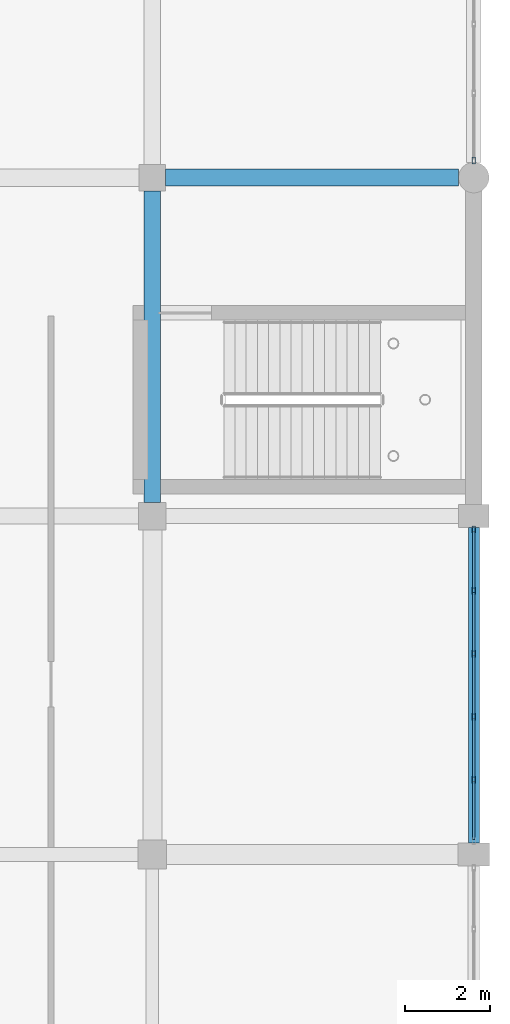
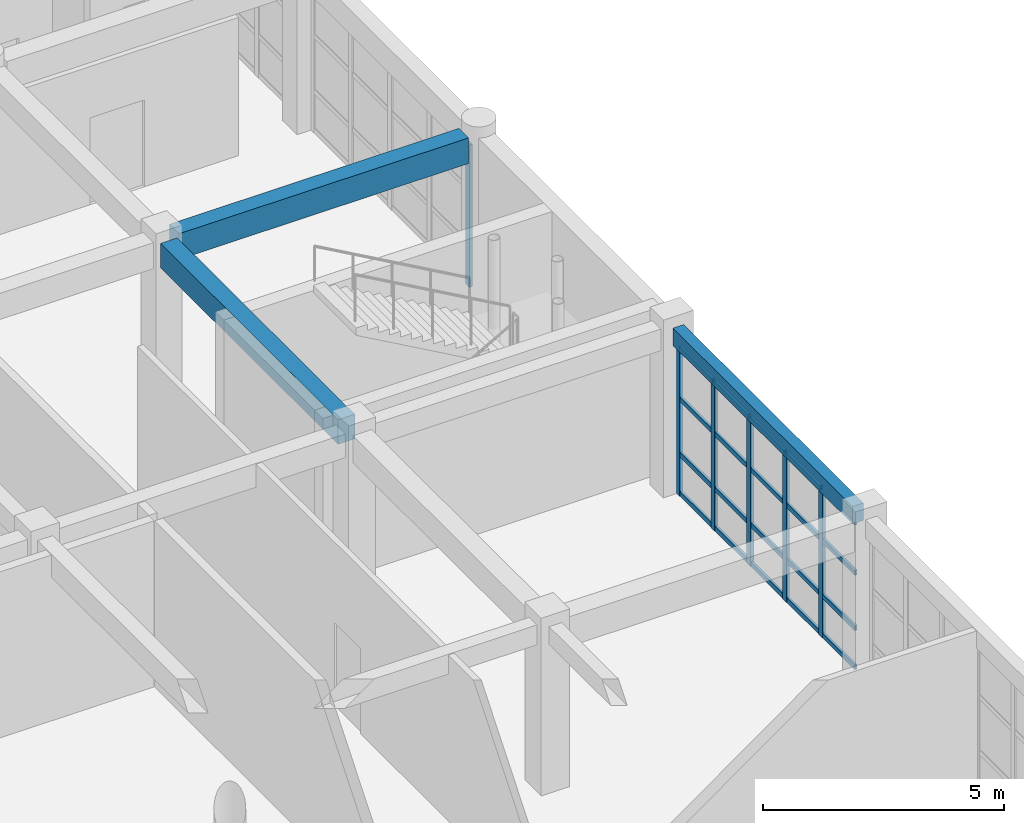
# One storey, part 98 of 160: 26 members, 3 beams, 2 elements without a shape of their own.
"""IFC4 building model written with IfcOpenShell, lengths in metres."""

from ifc_helpers import new_model, si_unit, direction, frame, origin, origin_2d, place, context, subcontext, project, spatial, rectangle, hollow_rectangle, extrude, material, material_profile, profile_set, type_object, element, aggregate, save


model = new_model("IFC4")

# Units and contexts
model_context = context("Model", 3, precision=1e-05, world=origin(), true_north=direction((0.0, 1.0)))
body_context = subcontext(model_context, "Body", "Model", "MODEL_VIEW")
ifc_project = project(units=[si_unit("LENGTHUNIT", "METRE"), si_unit("AREAUNIT", "SQUARE_METRE"), si_unit("VOLUMEUNIT", "CUBIC_METRE"), si_unit("PLANEANGLEUNIT", "RADIAN"), si_unit("MASSUNIT", "GRAM", prefix="KILO")], contexts=[model_context])

# Site, building, storey
site_placement = place(None, origin())
site = spatial("IfcSite", under=ifc_project, at=site_placement, CompositionType="ELEMENT")
building_placement = place(site_placement, origin())
building = spatial("IfcBuilding", under=site, at=building_placement, Name="Kharva Crest Polytechnic", CompositionType="ELEMENT")
storey_placement = place(building_placement, frame((0.0, 0.0, 4.5)))
storey = spatial("IfcBuildingStorey", under=building, at=storey_placement, Name="L01", CompositionType="ELEMENT", Elevation=4.5)

# Beams
ifc_material_1 = material(Name="Concrete C35/45", Category="concrete")
ifc_material_profile_1 = material_profile(ifc_material_1, rectangle(XDim=0.39990234375, YDim=0.6201171875, at=origin_2d()), Name="RECT 400 X 620")
ifc_profile_set_1 = profile_set([ifc_material_profile_1], Name="Concrete C35/45")
beam_type_1 = type_object("IfcBeamType", Name="BM-RC-400X620", PredefinedType="BEAM", material=ifc_profile_set_1)
beam_1_placement = place(storey_placement, frame((176.39990234375, 71.125, 3.909912109375), z_axis=(0.0, 1.0, 0.0), x_axis=(-1.0, 0.0, 0.0)))
element("IfcBeam", 1, at=beam_1_placement, inside=storey, type_object=beam_type_1, Name="L01 Girder 23/K-L", PredefinedType="BEAM", context=body_context, shape_type="SweptSolid", body=[
    extrude(rectangle(XDim=0.39990234375, YDim=0.6201171875, at=origin_2d()), origin(), (0.0, 0.0, 1.0), 7.364990234375),
])
ifc_material_profile_2 = material_profile(ifc_material_1, rectangle(XDim=0.39990234375, YDim=0.64990234375, at=origin_2d()), Name="RECT 400 X 650")
ifc_profile_set_2 = profile_set([ifc_material_profile_2], Name="Concrete C35/45")
beam_type_2 = type_object("IfcBeamType", Name="BM-RC-400X650", PredefinedType="BEAM", material=ifc_profile_set_2)
beam_2_placement = place(storey_placement, frame((176.7099609375, 78.800048828125, 3.89501953125), z_axis=(1.0, 0.0, 0.0), x_axis=(0.0, 1.0, 0.0)))
element("IfcBeam", 2, at=beam_2_placement, inside=storey, type_object=beam_type_2, Name="L01 Beam L/23-24", PredefinedType="BEAM", context=body_context, shape_type="SweptSolid", body=[
    extrude(rectangle(XDim=0.39990234375, YDim=0.64990234375, at=origin_2d()), origin(), (0.0, 0.0, 1.0), 6.929931640625),
])

# Curtain wall, members
ifc_material_2 = material(Name="Tempered insulated glass", Category="glass")
curtain_wall_type = type_object("IfcCurtainWallType", Name="CW-SYS-COURT", PredefinedType="USERDEFINED", material=ifc_material_2)
curtain_wall_1_placement = place(storey_placement, origin())
curtain_wall_1 = element("IfcCurtainWall", 3, at=curtain_wall_1_placement, inside=storey, type_object=curtain_wall_type, Name="L01 Glazed Curtain Wall CW-061", ObjectType="CURTAIN WALL", PredefinedType="USERDEFINED")
ifc_material_3 = material(Name="Steel S355", Category="steel")
ifc_material_profile_3 = material_profile(ifc_material_3, hollow_rectangle(XDim=0.080078125, YDim=0.159912109375, WallThickness=0.0048828125, at=origin_2d()), Name="RHS 160X80X5.0")
ifc_profile_set_3 = profile_set([ifc_material_profile_3], Name="Steel S355")
member_type_1 = type_object("IfcMemberType", Name="CWM-RHS160X80", PredefinedType="MULLION", material=ifc_profile_set_3)
member_1_placement = place(storey_placement, frame((184.0, 64.568115234375, 0.0), z_axis=(0.0, 0.0, 1.0), x_axis=(-1.0, 0.0, 0.0)))
member_1 = element("IfcMember", 4, at=member_1_placement, type_object=member_type_1, Name="CW-061 mullion 2", PredefinedType="MULLION", context=body_context, shape_type="SweptSolid", body=[
    extrude(hollow_rectangle(XDim=0.080078125, YDim=0.159912109375, WallThickness=0.0048828125, at=origin_2d()), origin(), (0.0, 0.0, 1.0), 3.780029296875),
])
member_2_placement = place(storey_placement, frame((184.0, 66.055908203125, 0.0), z_axis=(0.0, 0.0, 1.0), x_axis=(-1.0, 0.0, 0.0)))
member_2 = element("IfcMember", 5, at=member_2_placement, type_object=member_type_1, Name="CW-061 mullion 3", PredefinedType="MULLION", context=body_context, shape_type="SweptSolid", body=[
    extrude(hollow_rectangle(XDim=0.080078125, YDim=0.159912109375, WallThickness=0.0048828125, at=origin_2d()), origin(), (0.0, 0.0, 1.0), 3.780029296875),
])
member_3_placement = place(storey_placement, frame((184.0, 67.5439453125, 0.0), z_axis=(0.0, 0.0, 1.0), x_axis=(-1.0, 0.0, 0.0)))
member_3 = element("IfcMember", 6, at=member_3_placement, type_object=member_type_1, Name="CW-061 mullion 4", PredefinedType="MULLION", context=body_context, shape_type="SweptSolid", body=[
    extrude(hollow_rectangle(XDim=0.080078125, YDim=0.159912109375, WallThickness=0.0048828125, at=origin_2d()), origin(), (0.0, 0.0, 1.0), 3.780029296875),
])
member_4_placement = place(storey_placement, frame((184.0, 69.031982421875, 0.0), z_axis=(0.0, 0.0, 1.0), x_axis=(-1.0, 0.0, 0.0)))
member_4 = element("IfcMember", 7, at=member_4_placement, type_object=member_type_1, Name="CW-061 mullion 5", PredefinedType="MULLION", context=body_context, shape_type="SweptSolid", body=[
    extrude(hollow_rectangle(XDim=0.080078125, YDim=0.159912109375, WallThickness=0.0048828125, at=origin_2d()), origin(), (0.0, 0.0, 1.0), 3.780029296875),
])
member_5_placement = place(storey_placement, frame((184.0, 70.47998046875, 0.0), z_axis=(0.0, 0.0, 1.0), x_axis=(-1.0, 0.0, 0.0)))
member_5 = element("IfcMember", 8, at=member_5_placement, type_object=member_type_1, Name="CW-061 mullion 6", PredefinedType="MULLION", context=body_context, shape_type="SweptSolid", body=[
    extrude(hollow_rectangle(XDim=0.080078125, YDim=0.159912109375, WallThickness=0.0048828125, at=origin_2d()), origin(), (0.0, 0.0, 1.0), 3.780029296875),
])

# Curtain wall, member
curtain_wall_2_placement = place(storey_placement, origin())
curtain_wall_2 = element("IfcCurtainWall", 9, at=curtain_wall_2_placement, inside=storey, type_object=curtain_wall_type, Name="L01 Glazed Curtain Wall CW-062", ObjectType="CURTAIN WALL", PredefinedType="USERDEFINED")
member_6_placement = place(storey_placement, frame((184.0, 79.205078125, 0.0), z_axis=(0.0, 0.0, 1.0), x_axis=(-1.0, 0.0, 0.0)))
member_6 = element("IfcMember", 10, at=member_6_placement, type_object=member_type_1, Name="CW-062 mullion 1", PredefinedType="MULLION", context=body_context, shape_type="SweptSolid", body=[
    extrude(hollow_rectangle(XDim=0.080078125, YDim=0.159912109375, WallThickness=0.0048828125, at=origin_2d()), origin(), (0.0, 0.0, 1.0), 3.60009765625),
])
aggregate(curtain_wall_2, [member_6])

# Member
ifc_material_profile_4 = material_profile(ifc_material_3, hollow_rectangle(XDim=0.06005859375, YDim=0.1201171875, WallThickness=0.00390625, at=origin_2d()), Name="RHS 120X60X4.0")
ifc_profile_set_4 = profile_set([ifc_material_profile_4], Name="Steel S355")
member_type_2 = type_object("IfcMemberType", Name="CWT-RHS120X60", PredefinedType="USERDEFINED", material=ifc_profile_set_4)
member_7_placement = place(storey_placement, frame((184.0, 63.159912109375, 0.06005859375), z_axis=(0.0, 1.0, 0.0), x_axis=(-1.0, 0.0, 0.0)))
member_7 = element("IfcMember", 11, at=member_7_placement, type_object=member_type_2, Name="CW-061 transom 1.1", ObjectType="TRANSOM", PredefinedType="USERDEFINED", context=body_context, shape_type="SweptSolid", body=[
    extrude(hollow_rectangle(XDim=0.06005859375, YDim=0.1201171875, WallThickness=0.00390625, at=origin_2d()), origin(), (0.0, 0.0, 1.0), 1.3681640625),
])

member_8_placement = place(storey_placement, frame((184.0, 63.159912109375, 1.050048828125), z_axis=(0.0, 1.0, 0.0), x_axis=(-1.0, 0.0, 0.0)))
member_8 = element("IfcMember", 12, at=member_8_placement, type_object=member_type_2, Name="CW-061 transom 1.2", ObjectType="TRANSOM", PredefinedType="USERDEFINED", context=body_context, shape_type="SweptSolid", body=[
    extrude(hollow_rectangle(XDim=0.06005859375, YDim=0.1201171875, WallThickness=0.00390625, at=origin_2d()), origin(), (0.0, 0.0, 1.0), 1.3681640625),
])

member_9_placement = place(storey_placement, frame((184.0, 63.159912109375, 2.449951171875), z_axis=(0.0, 1.0, 0.0), x_axis=(-1.0, 0.0, 0.0)))
member_9 = element("IfcMember", 13, at=member_9_placement, type_object=member_type_2, Name="CW-061 transom 1.3", ObjectType="TRANSOM", PredefinedType="USERDEFINED", context=body_context, shape_type="SweptSolid", body=[
    extrude(hollow_rectangle(XDim=0.06005859375, YDim=0.1201171875, WallThickness=0.00390625, at=origin_2d()), origin(), (0.0, 0.0, 1.0), 1.3681640625),
])

member_10_placement = place(storey_placement, frame((184.0, 63.159912109375, 3.719970703125), z_axis=(0.0, 1.0, 0.0), x_axis=(-1.0, 0.0, 0.0)))
member_10 = element("IfcMember", 14, at=member_10_placement, type_object=member_type_2, Name="CW-061 transom 1.4", ObjectType="TRANSOM", PredefinedType="USERDEFINED", context=body_context, shape_type="SweptSolid", body=[
    extrude(hollow_rectangle(XDim=0.06005859375, YDim=0.1201171875, WallThickness=0.00390625, at=origin_2d()), origin(), (0.0, 0.0, 1.0), 1.3681640625),
])

member_11_placement = place(storey_placement, frame((184.0, 64.60791015625, 0.06005859375), z_axis=(0.0, 1.0, 0.0), x_axis=(-1.0, 0.0, 0.0)))
member_11 = element("IfcMember", 15, at=member_11_placement, type_object=member_type_2, Name="CW-061 transom 2.1", ObjectType="TRANSOM", PredefinedType="USERDEFINED", context=body_context, shape_type="SweptSolid", body=[
    extrude(hollow_rectangle(XDim=0.06005859375, YDim=0.1201171875, WallThickness=0.00390625, at=origin_2d()), origin(), (0.0, 0.0, 1.0), 1.408203125),
])

member_12_placement = place(storey_placement, frame((184.0, 64.60791015625, 1.050048828125), z_axis=(0.0, 1.0, 0.0), x_axis=(-1.0, 0.0, 0.0)))
member_12 = element("IfcMember", 16, at=member_12_placement, type_object=member_type_2, Name="CW-061 transom 2.2", ObjectType="TRANSOM", PredefinedType="USERDEFINED", context=body_context, shape_type="SweptSolid", body=[
    extrude(hollow_rectangle(XDim=0.06005859375, YDim=0.1201171875, WallThickness=0.00390625, at=origin_2d()), origin(), (0.0, 0.0, 1.0), 1.408203125),
])

member_13_placement = place(storey_placement, frame((184.0, 64.60791015625, 2.449951171875), z_axis=(0.0, 1.0, 0.0), x_axis=(-1.0, 0.0, 0.0)))
member_13 = element("IfcMember", 17, at=member_13_placement, type_object=member_type_2, Name="CW-061 transom 2.3", ObjectType="TRANSOM", PredefinedType="USERDEFINED", context=body_context, shape_type="SweptSolid", body=[
    extrude(hollow_rectangle(XDim=0.06005859375, YDim=0.1201171875, WallThickness=0.00390625, at=origin_2d()), origin(), (0.0, 0.0, 1.0), 1.408203125),
])

member_14_placement = place(storey_placement, frame((184.0, 64.60791015625, 3.719970703125), z_axis=(0.0, 1.0, 0.0), x_axis=(-1.0, 0.0, 0.0)))
member_14 = element("IfcMember", 18, at=member_14_placement, type_object=member_type_2, Name="CW-061 transom 2.4", ObjectType="TRANSOM", PredefinedType="USERDEFINED", context=body_context, shape_type="SweptSolid", body=[
    extrude(hollow_rectangle(XDim=0.06005859375, YDim=0.1201171875, WallThickness=0.00390625, at=origin_2d()), origin(), (0.0, 0.0, 1.0), 1.408203125),
])

member_15_placement = place(storey_placement, frame((184.0, 66.095947265625, 0.06005859375), z_axis=(0.0, 1.0, 0.0), x_axis=(-1.0, 0.0, 0.0)))
member_15 = element("IfcMember", 19, at=member_15_placement, type_object=member_type_2, Name="CW-061 transom 3.1", ObjectType="TRANSOM", PredefinedType="USERDEFINED", context=body_context, shape_type="SweptSolid", body=[
    extrude(hollow_rectangle(XDim=0.06005859375, YDim=0.1201171875, WallThickness=0.00390625, at=origin_2d()), origin(), (0.0, 0.0, 1.0), 1.407958984375),
])

member_16_placement = place(storey_placement, frame((184.0, 66.095947265625, 1.050048828125), z_axis=(0.0, 1.0, 0.0), x_axis=(-1.0, 0.0, 0.0)))
member_16 = element("IfcMember", 20, at=member_16_placement, type_object=member_type_2, Name="CW-061 transom 3.2", ObjectType="TRANSOM", PredefinedType="USERDEFINED", context=body_context, shape_type="SweptSolid", body=[
    extrude(hollow_rectangle(XDim=0.06005859375, YDim=0.1201171875, WallThickness=0.00390625, at=origin_2d()), origin(), (0.0, 0.0, 1.0), 1.407958984375),
])

member_17_placement = place(storey_placement, frame((184.0, 66.095947265625, 2.449951171875), z_axis=(0.0, 1.0, 0.0), x_axis=(-1.0, 0.0, 0.0)))
member_17 = element("IfcMember", 21, at=member_17_placement, type_object=member_type_2, Name="CW-061 transom 3.3", ObjectType="TRANSOM", PredefinedType="USERDEFINED", context=body_context, shape_type="SweptSolid", body=[
    extrude(hollow_rectangle(XDim=0.06005859375, YDim=0.1201171875, WallThickness=0.00390625, at=origin_2d()), origin(), (0.0, 0.0, 1.0), 1.407958984375),
])

member_18_placement = place(storey_placement, frame((184.0, 66.095947265625, 3.719970703125), z_axis=(0.0, 1.0, 0.0), x_axis=(-1.0, 0.0, 0.0)))
member_18 = element("IfcMember", 22, at=member_18_placement, type_object=member_type_2, Name="CW-061 transom 3.4", ObjectType="TRANSOM", PredefinedType="USERDEFINED", context=body_context, shape_type="SweptSolid", body=[
    extrude(hollow_rectangle(XDim=0.06005859375, YDim=0.1201171875, WallThickness=0.00390625, at=origin_2d()), origin(), (0.0, 0.0, 1.0), 1.407958984375),
])

member_19_placement = place(storey_placement, frame((184.0, 67.583984375, 0.06005859375), z_axis=(0.0, 1.0, 0.0), x_axis=(-1.0, 0.0, 0.0)))
member_19 = element("IfcMember", 23, at=member_19_placement, type_object=member_type_2, Name="CW-061 transom 4.1", ObjectType="TRANSOM", PredefinedType="USERDEFINED", context=body_context, shape_type="SweptSolid", body=[
    extrude(hollow_rectangle(XDim=0.06005859375, YDim=0.1201171875, WallThickness=0.00390625, at=origin_2d()), origin(), (0.0, 0.0, 1.0), 1.407958984375),
])

member_20_placement = place(storey_placement, frame((184.0, 67.583984375, 1.050048828125), z_axis=(0.0, 1.0, 0.0), x_axis=(-1.0, 0.0, 0.0)))
member_20 = element("IfcMember", 24, at=member_20_placement, type_object=member_type_2, Name="CW-061 transom 4.2", ObjectType="TRANSOM", PredefinedType="USERDEFINED", context=body_context, shape_type="SweptSolid", body=[
    extrude(hollow_rectangle(XDim=0.06005859375, YDim=0.1201171875, WallThickness=0.00390625, at=origin_2d()), origin(), (0.0, 0.0, 1.0), 1.407958984375),
])

member_21_placement = place(storey_placement, frame((184.0, 67.583984375, 2.449951171875), z_axis=(0.0, 1.0, 0.0), x_axis=(-1.0, 0.0, 0.0)))
member_21 = element("IfcMember", 25, at=member_21_placement, type_object=member_type_2, Name="CW-061 transom 4.3", ObjectType="TRANSOM", PredefinedType="USERDEFINED", context=body_context, shape_type="SweptSolid", body=[
    extrude(hollow_rectangle(XDim=0.06005859375, YDim=0.1201171875, WallThickness=0.00390625, at=origin_2d()), origin(), (0.0, 0.0, 1.0), 1.407958984375),
])

member_22_placement = place(storey_placement, frame((184.0, 67.583984375, 3.719970703125), z_axis=(0.0, 1.0, 0.0), x_axis=(-1.0, 0.0, 0.0)))
member_22 = element("IfcMember", 26, at=member_22_placement, type_object=member_type_2, Name="CW-061 transom 4.4", ObjectType="TRANSOM", PredefinedType="USERDEFINED", context=body_context, shape_type="SweptSolid", body=[
    extrude(hollow_rectangle(XDim=0.06005859375, YDim=0.1201171875, WallThickness=0.00390625, at=origin_2d()), origin(), (0.0, 0.0, 1.0), 1.407958984375),
])

member_23_placement = place(storey_placement, frame((184.0, 69.072021484375, 0.06005859375), z_axis=(0.0, 1.0, 0.0), x_axis=(-1.0, 0.0, 0.0)))
member_23 = element("IfcMember", 27, at=member_23_placement, type_object=member_type_2, Name="CW-061 transom 5.1", ObjectType="TRANSOM", PredefinedType="USERDEFINED", context=body_context, shape_type="SweptSolid", body=[
    extrude(hollow_rectangle(XDim=0.06005859375, YDim=0.1201171875, WallThickness=0.00390625, at=origin_2d()), origin(), (0.0, 0.0, 1.0), 1.367919921875),
])

member_24_placement = place(storey_placement, frame((184.0, 69.072021484375, 1.050048828125), z_axis=(0.0, 1.0, 0.0), x_axis=(-1.0, 0.0, 0.0)))
member_24 = element("IfcMember", 28, at=member_24_placement, type_object=member_type_2, Name="CW-061 transom 5.2", ObjectType="TRANSOM", PredefinedType="USERDEFINED", context=body_context, shape_type="SweptSolid", body=[
    extrude(hollow_rectangle(XDim=0.06005859375, YDim=0.1201171875, WallThickness=0.00390625, at=origin_2d()), origin(), (0.0, 0.0, 1.0), 1.367919921875),
])

member_25_placement = place(storey_placement, frame((184.0, 69.072021484375, 2.449951171875), z_axis=(0.0, 1.0, 0.0), x_axis=(-1.0, 0.0, 0.0)))
member_25 = element("IfcMember", 29, at=member_25_placement, type_object=member_type_2, Name="CW-061 transom 5.3", ObjectType="TRANSOM", PredefinedType="USERDEFINED", context=body_context, shape_type="SweptSolid", body=[
    extrude(hollow_rectangle(XDim=0.06005859375, YDim=0.1201171875, WallThickness=0.00390625, at=origin_2d()), origin(), (0.0, 0.0, 1.0), 1.367919921875),
])

member_26_placement = place(storey_placement, frame((184.0, 69.072021484375, 3.719970703125), z_axis=(0.0, 1.0, 0.0), x_axis=(-1.0, 0.0, 0.0)))
member_26 = element("IfcMember", 30, at=member_26_placement, type_object=member_type_2, Name="CW-061 transom 5.4", ObjectType="TRANSOM", PredefinedType="USERDEFINED", context=body_context, shape_type="SweptSolid", body=[
    extrude(hollow_rectangle(XDim=0.06005859375, YDim=0.1201171875, WallThickness=0.00390625, at=origin_2d()), origin(), (0.0, 0.0, 1.0), 1.367919921875),
])

aggregate(curtain_wall_1, [member_1, member_2, member_3, member_4, member_5, member_7, member_8, member_9, member_10, member_11, member_12, member_13, member_14, member_15, member_16, member_17, member_18, member_19, member_20, member_21, member_22, member_23, member_24, member_25, member_26])

# Beam
ifc_material_profile_5 = material_profile(ifc_material_1, rectangle(XDim=0.260009765625, YDim=0.43994140625, at=origin_2d()), Name="RECT 260 X 440")
ifc_profile_set_5 = profile_set([ifc_material_profile_5], Name="Concrete C35/45")
beam_type_3 = type_object("IfcBeamType", Name="SP-RC-260X440", PredefinedType="SPANDREL", material=ifc_profile_set_5)
beam_3_placement = place(storey_placement, frame((184.0, 63.074951171875, 4.0), z_axis=(0.0, 1.0, 0.0), x_axis=(-1.0, 0.0, 0.0)))
element("IfcBeam", 31, at=beam_3_placement, inside=storey, type_object=beam_type_3, Name="L01 Girder 24/J-K", PredefinedType="SPANDREL", context=body_context, shape_type="SweptSolid", body=[
    extrude(rectangle(XDim=0.260009765625, YDim=0.43994140625, at=origin_2d()), origin(), (0.0, 0.0, 1.0), 7.449951171875),
])

save(model, "model.ifc")
